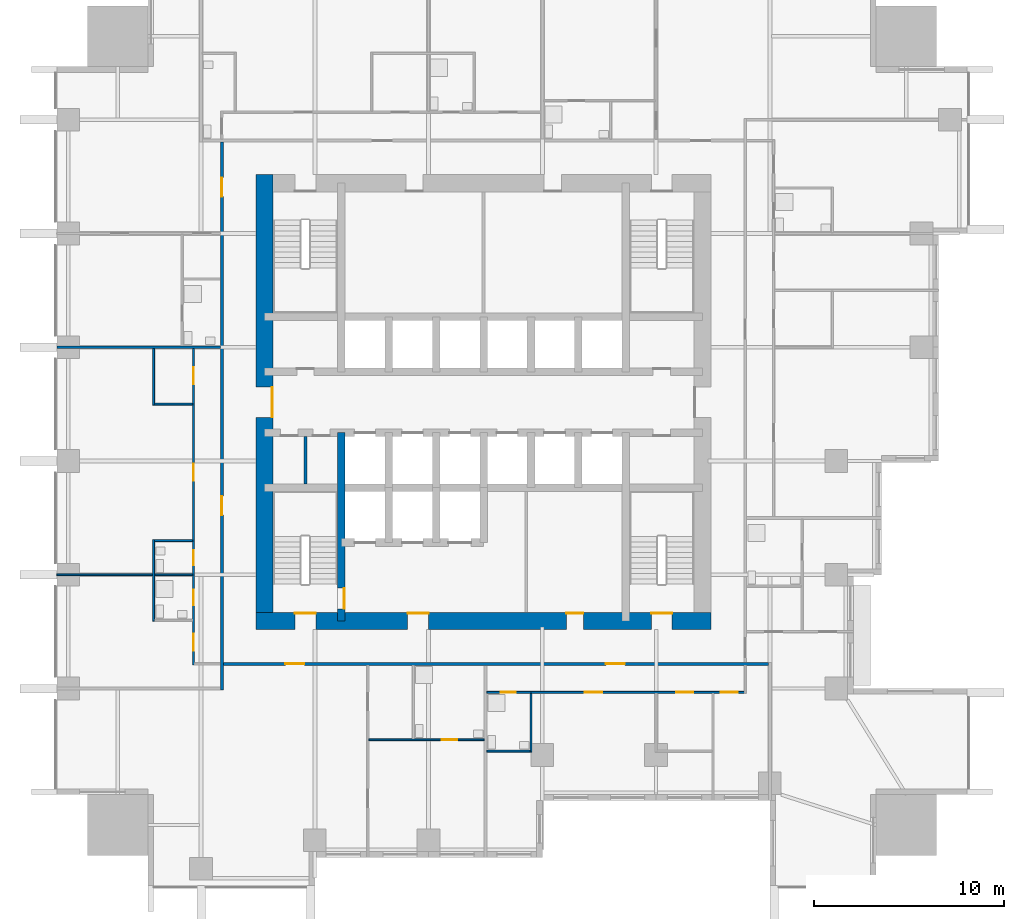
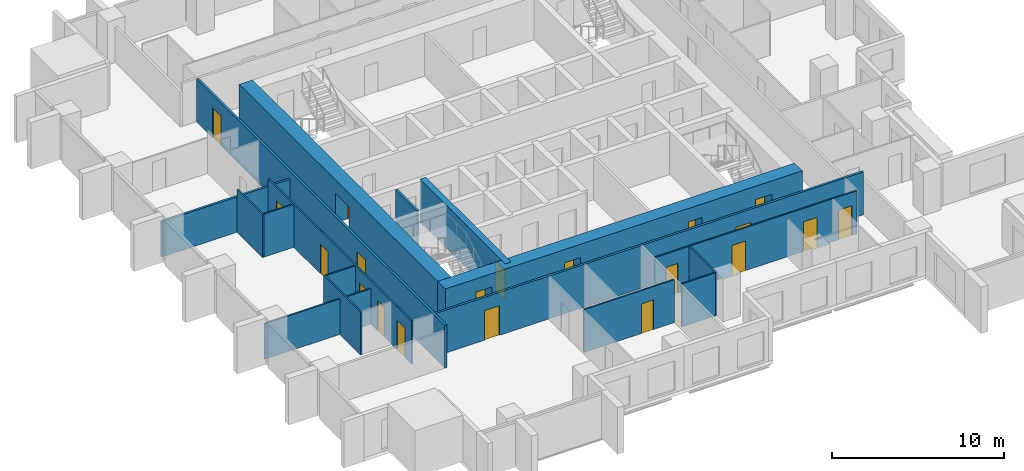
# One storey, part 4 of 10: 20 doors, 17 walls, 20 openings.
"""IFC4 building model written with IfcOpenShell, lengths in metres."""

from ifc_helpers import new_model, si_unit, direction, frame, frame_2d, origin, place, context, subcontext, project, spatial, rectangle, extrude, material, layer, layer_set, type_object, element, fill, save


model = new_model("IFC4")

# Units and contexts
model_context = context("Model", 3, precision=1e-05, world=origin(), true_north=direction((0.0, 1.0)))
body_context = subcontext(model_context, "Body", "Model", "MODEL_VIEW")
ifc_project = project(units=[si_unit("LENGTHUNIT", "METRE"), si_unit("AREAUNIT", "SQUARE_METRE"), si_unit("VOLUMEUNIT", "CUBIC_METRE"), si_unit("PLANEANGLEUNIT", "RADIAN"), si_unit("MASSUNIT", "GRAM", prefix="KILO")], contexts=[model_context])

# Site, building, storey
site_placement = place(None, origin())
site = spatial("IfcSite", under=ifc_project, at=site_placement, CompositionType="ELEMENT")
building_placement = place(site_placement, origin())
building = spatial("IfcBuilding", under=site, at=building_placement, Name="Amberfall Residences", CompositionType="ELEMENT")
storey_placement = place(building_placement, frame((0.0, 0.0, 36.699951171875)))
storey = spatial("IfcBuildingStorey", under=building, at=storey_placement, Name="L09", CompositionType="ELEMENT", Elevation=36.699951171875)

# Wall, opening, door
ifc_material_1 = material(Name="Concrete C80", Category="concrete")
ifc_layer_1 = layer(ifc_material_1, 0.39990234375)
ifc_layer_set_1 = layer_set([ifc_layer_1], Name="Core wall 400 C80")
wall_type_1 = type_object("IfcWallType", Name="Core wall 400 C80", PredefinedType="SHEAR", material=ifc_layer_set_1)
wall_1_placement = place(storey_placement, frame((67.0, 33.949951171875, 0.0), z_axis=(0.0, 0.0, 1.0), x_axis=(0.0, 1.0, 0.0)))
wall_1 = element("IfcWall", 1, at=wall_1_placement, inside=storey, type_object=wall_type_1, Name="Core wall RW2 L09 V45S", PredefinedType="SHEAR", context=body_context, shape_type="SweptSolid", body=[
    extrude(rectangle(XDim=9.949951171875, YDim=0.39990234375, at=frame_2d((4.97509765625, 0.0))), origin(), (0.0, 0.0, 1.0), 3.050048828125),
])
opening_1_placement = place(wall_1_placement, frame((0.64990234375, 0.0, 0.0)))
opening_1 = element("IfcOpeningElement", 2, at=opening_1_placement, cuts=wall_1, Name="Opening FL1", PredefinedType="OPENING", context=body_context, shape_type="SweptSolid", body=[
    extrude(rectangle(XDim=1.10009765625, YDim=2.10009765625, at=frame_2d((0.550048828125, 1.050048828125))), frame((0.0, 0.2099609375, 0.0), z_axis=(0.0, -1.0, 0.0), x_axis=(1.0, 0.0, 0.0)), (0.0, 0.0, 1.0), 0.419921875),
])
ifc_material_2 = material(Name="Steel fire door set", Category="steel")
door_type_1 = type_object("IfcDoorType", Name="Firefighting lobby door 1100 x 2100", OperationType="SINGLE_SWING_LEFT", PredefinedType="DOOR", material=ifc_material_2)
door_1_placement = place(opening_1_placement, origin())
door_1 = element("IfcDoor", 3, at=door_1_placement, inside=storey, type_object=door_type_1, Name="FL1 L09", OperationType="SINGLE_SWING_RIGHT", OverallHeight=2.10009765625, OverallWidth=1.10009765625, PredefinedType="DOOR", context=body_context, shape_type="SweptSolid", body=[
    extrude(rectangle(XDim=1.10009765625, YDim=2.10009765625, at=frame_2d((0.550048828125, 1.050048828125))), frame((0.0, -0.1376953125, 0.0), z_axis=(0.0, -1.0, 0.0), x_axis=(1.0, 0.0, 0.0)), (0.0, 0.0, 1.0), 0.050048828125),
])
fill(opening_1, door_1)

# Wall, openings, doors
ifc_layer_2 = layer(ifc_material_1, 0.89990234375)
ifc_layer_set_2 = layer_set([ifc_layer_2], Name="Core wall 900 C80")
wall_type_2 = type_object("IfcWallType", Name="Core wall 900 C80", PredefinedType="SHEAR", material=ifc_layer_set_2)
wall_2_placement = place(storey_placement, frame((62.5, 33.949951171875, 0.0), z_axis=(0.0, 0.0, 1.0), x_axis=(1.0, 0.0, 0.0)))
wall_2 = element("IfcWall", 4, at=wall_2_placement, inside=storey, type_object=wall_type_2, Name="Core wall RW1 L09 OS", PredefinedType="SHEAR", context=body_context, shape_type="SweptSolid", body=[
    extrude(rectangle(XDim=24.0, YDim=0.89990234375, at=frame_2d((12.0, 0.0))), origin(), (0.0, 0.0, 1.0), 3.050048828125),
])
opening_2_placement = place(wall_2_placement, frame((2.050048828125, 0.0, 0.0)))
opening_2 = element("IfcOpeningElement", 5, at=opening_2_placement, cuts=wall_2, Name="Opening SD1", PredefinedType="OPENING", context=body_context, shape_type="SweptSolid", body=[
    extrude(rectangle(XDim=1.10009765625, YDim=2.10009765625, at=frame_2d((0.550048828125, 1.050048828125))), frame((0.0, 0.4599609375, 0.0), z_axis=(0.0, -1.0, 0.0), x_axis=(1.0, 0.0, 0.0)), (0.0, 0.0, 1.0), 0.919921875),
])
opening_3_placement = place(wall_2_placement, frame((20.85009765625, 0.0, 0.0)))
opening_3 = element("IfcOpeningElement", 6, at=opening_3_placement, cuts=wall_2, Name="Opening SD1", PredefinedType="OPENING", context=body_context, shape_type="SweptSolid", body=[
    extrude(rectangle(XDim=1.10009765625, YDim=2.10009765625, at=frame_2d((0.550048828125, 1.050048828125))), frame((0.0, 0.4599609375, 0.0), z_axis=(0.0, -1.0, 0.0), x_axis=(1.0, 0.0, 0.0)), (0.0, 0.0, 1.0), 0.919921875),
])
opening_4_placement = place(wall_2_placement, frame((8.0, 0.0, 0.0)))
opening_4 = element("IfcOpeningElement", 7, at=opening_4_placement, cuts=wall_2, Name="Opening FL1", PredefinedType="OPENING", context=body_context, shape_type="SweptSolid", body=[
    extrude(rectangle(XDim=1.10009765625, YDim=2.10009765625, at=frame_2d((0.550048828125, 1.050048828125))), frame((0.0, 0.4599609375, 0.0), z_axis=(0.0, -1.0, 0.0), x_axis=(1.0, 0.0, 0.0)), (0.0, 0.0, 1.0), 0.919921875),
])
opening_5_placement = place(wall_2_placement, frame((16.362548828125, 0.0, 0.0)))
opening_5 = element("IfcOpeningElement", 8, at=opening_5_placement, cuts=wall_2, Name="Opening RD1", PredefinedType="OPENING", context=body_context, shape_type="SweptSolid", body=[
    extrude(rectangle(XDim=0.89990234375, YDim=2.10009765625, at=frame_2d((0.449951171875, 1.050048828125))), frame((0.0, 0.4599609375, 0.0), z_axis=(0.0, -1.0, 0.0), x_axis=(1.0, 0.0, 0.0)), (0.0, 0.0, 1.0), 0.919921875),
])
door_2_placement = place(opening_4_placement, origin())
door_2 = element("IfcDoor", 9, at=door_2_placement, inside=storey, type_object=door_type_1, Name="FL1 L09", OperationType="SINGLE_SWING_LEFT", OverallHeight=2.10009765625, OverallWidth=1.10009765625, PredefinedType="DOOR", context=body_context, shape_type="SweptSolid", body=[
    extrude(rectangle(XDim=1.10009765625, YDim=2.10009765625, at=frame_2d((0.550048828125, 1.050048828125))), frame((0.0, 0.4375, 0.0), z_axis=(0.0, -1.0, 0.0), x_axis=(1.0, 0.0, 0.0)), (0.0, 0.0, 1.0), 0.050048828125),
])
fill(opening_4, door_2)
door_type_2 = type_object("IfcDoorType", Name="Service room door 900 x 2100", OperationType="SINGLE_SWING_LEFT", PredefinedType="DOOR", material=ifc_material_2)
door_3_placement = place(opening_5_placement, origin())
door_3 = element("IfcDoor", 10, at=door_3_placement, inside=storey, type_object=door_type_2, Name="RD1 L09", OperationType="SINGLE_SWING_LEFT", OverallHeight=2.10009765625, OverallWidth=0.89990234375, PredefinedType="DOOR", context=body_context, shape_type="SweptSolid", body=[
    extrude(rectangle(XDim=0.89990234375, YDim=2.10009765625, at=frame_2d((0.449951171875, 1.050048828125))), frame((0.0, 0.4375, 0.0), z_axis=(0.0, -1.0, 0.0), x_axis=(1.0, 0.0, 0.0)), (0.0, 0.0, 1.0), 0.050048828125),
])
fill(opening_5, door_3)
door_type_3 = type_object("IfcDoorType", Name="Stair door 1100 x 2100", OperationType="SINGLE_SWING_LEFT", PredefinedType="DOOR", material=ifc_material_2)
door_4_placement = place(opening_2_placement, origin())
door_4 = element("IfcDoor", 11, at=door_4_placement, inside=storey, type_object=door_type_3, Name="SD1 L09", OperationType="SINGLE_SWING_LEFT", OverallHeight=2.10009765625, OverallWidth=1.10009765625, PredefinedType="DOOR", context=body_context, shape_type="SweptSolid", body=[
    extrude(rectangle(XDim=1.10009765625, YDim=2.10009765625, at=frame_2d((0.550048828125, 1.050048828125))), frame((0.0, 0.4375, 0.0), z_axis=(0.0, -1.0, 0.0), x_axis=(1.0, 0.0, 0.0)), (0.0, 0.0, 1.0), 0.050048828125),
])
fill(opening_2, door_4)
door_5_placement = place(opening_3_placement, origin())
door_5 = element("IfcDoor", 12, at=door_5_placement, inside=storey, type_object=door_type_3, Name="SD1 L09", OperationType="SINGLE_SWING_RIGHT", OverallHeight=2.10009765625, OverallWidth=1.10009765625, PredefinedType="DOOR", context=body_context, shape_type="SweptSolid", body=[
    extrude(rectangle(XDim=1.10009765625, YDim=2.10009765625, at=frame_2d((0.550048828125, 1.050048828125))), frame((0.0, 0.4375, 0.0), z_axis=(0.0, -1.0, 0.0), x_axis=(1.0, 0.0, 0.0)), (0.0, 0.0, 1.0), 0.050048828125),
])
fill(opening_3, door_5)

# Wall, opening, door
wall_3_placement = place(storey_placement, frame((62.949951171875, 33.5, 0.0), z_axis=(0.0, 0.0, 1.0), x_axis=(0.0, 1.0, 0.0)))
wall_3 = element("IfcWall", 13, at=wall_3_placement, inside=storey, type_object=wall_type_2, Name="Core wall RW1 L09 OW", PredefinedType="SHEAR", context=body_context, shape_type="SweptSolid", body=[
    extrude(rectangle(XDim=24.0, YDim=0.89990234375, at=frame_2d((12.0, 0.0))), origin(), (0.0, 0.0, 1.0), 3.050048828125),
])
opening_6_placement = place(wall_3_placement, frame((11.199951171875, 0.0, 0.0)))
opening_6 = element("IfcOpeningElement", 14, at=opening_6_placement, cuts=wall_3, Name="Opening LB1", PredefinedType="OPENING", context=body_context, shape_type="SweptSolid", body=[
    extrude(rectangle(XDim=1.60009765625, YDim=2.10009765625, at=frame_2d((0.800048828125, 1.050048828125))), frame((0.0, 0.4599609375, 0.0), z_axis=(0.0, -1.0, 0.0), x_axis=(1.0, 0.0, 0.0)), (0.0, 0.0, 1.0), 0.919921875),
])
door_type_4 = type_object("IfcDoorType", Name="Lift lobby double door 1600 x 2100", OperationType="DOUBLE_DOOR_SINGLE_SWING", PredefinedType="DOOR", material=ifc_material_2)
door_6_placement = place(opening_6_placement, origin())
door_6 = element("IfcDoor", 15, at=door_6_placement, inside=storey, type_object=door_type_4, Name="LB1 L09", OperationType="DOUBLE_DOOR_SINGLE_SWING", OverallHeight=2.10009765625, OverallWidth=1.60009765625, PredefinedType="DOOR", context=body_context, shape_type="SweptSolid", body=[
    extrude(rectangle(XDim=1.60009765625, YDim=2.10009765625, at=frame_2d((0.800048828125, 1.050048828125))), frame((0.0, -0.3876953125, 0.0), z_axis=(0.0, -1.0, 0.0), x_axis=(1.0, 0.0, 0.0)), (0.0, 0.0, 1.0), 0.050048828125),
])
fill(opening_6, door_6)

# Walls
ifc_material_3 = material(Name="Gypsum board on metal stud")
ifc_layer_3 = layer(ifc_material_3, 0.10009765625)
ifc_layer_set_3 = layer_set([ifc_layer_3], Name="Flat partition 100")
wall_type_3 = type_object("IfcWallType", Name="Flat partition 100", PredefinedType="PARTITIONING", material=ifc_layer_set_3)
wall_4_placement = place(storey_placement, frame((57.10009765625, 33.949951171875, 0.0), z_axis=(0.0, 0.0, 1.0), x_axis=(0.0, 1.0, 0.0)))
element("IfcWall", 16, at=wall_4_placement, inside=storey, type_object=wall_type_3, Name="Partition 001", PredefinedType="PARTITIONING", context=body_context, shape_type="SweptSolid", body=[
    extrude(rectangle(XDim=4.300048828125, YDim=0.10009765625, at=frame_2d((2.14990234375, 0.0))), origin(), (0.0, 0.0, 1.0), 3.050048828125),
])
wall_5_placement = place(storey_placement, frame((57.10009765625, 45.35009765625, 0.0), z_axis=(0.0, 0.0, 1.0), x_axis=(0.0, 1.0, 0.0)))
element("IfcWall", 17, at=wall_5_placement, inside=storey, type_object=wall_type_3, Name="Partition 002", PredefinedType="PARTITIONING", context=body_context, shape_type="SweptSolid", body=[
    extrude(rectangle(XDim=2.974853515625, YDim=0.10009765625, at=frame_2d((1.4873046875, 0.0))), origin(), (0.0, 0.0, 1.0), 3.050048828125),
])

# Wall, openings, doors
wall_6_placement = place(storey_placement, frame((59.199951171875, 31.64990234375, 0.0), z_axis=(0.0, 0.0, 1.0), x_axis=(0.0, 1.0, 0.0)))
wall_6 = element("IfcWall", 18, at=wall_6_placement, inside=storey, type_object=wall_type_3, Name="Partition 004", PredefinedType="PARTITIONING", context=body_context, shape_type="SweptSolid", body=[
    extrude(rectangle(XDim=16.675048828125, YDim=0.10009765625, at=frame_2d((8.33740234375, 0.0))), origin(), (0.0, 0.0, 1.0), 3.050048828125),
])
opening_7_placement = place(wall_6_placement, frame((9.699951171875, 0.0, 0.0)))
opening_7 = element("IfcOpeningElement", 19, at=opening_7_placement, cuts=wall_6, Name="Opening D41", PredefinedType="OPENING", context=body_context, shape_type="SweptSolid", body=[
    extrude(rectangle(XDim=0.89990234375, YDim=2.10009765625, at=frame_2d((0.449951171875, 1.050048828125))), frame((0.0, 0.06005859375, 0.0), z_axis=(0.0, -1.0, 0.0), x_axis=(1.0, 0.0, 0.0)), (0.0, 0.0, 1.0), 0.1201171875),
])
opening_8_placement = place(wall_6_placement, frame((14.800048828125, 0.0, 0.0)))
opening_8 = element("IfcOpeningElement", 20, at=opening_8_placement, cuts=wall_6, Name="Opening D41", PredefinedType="OPENING", context=body_context, shape_type="SweptSolid", body=[
    extrude(rectangle(XDim=0.89990234375, YDim=2.10009765625, at=frame_2d((0.449951171875, 1.050048828125))), frame((0.0, 0.06005859375, 0.0), z_axis=(0.0, -1.0, 0.0), x_axis=(1.0, 0.0, 0.0)), (0.0, 0.0, 1.0), 0.1201171875),
])
opening_9_placement = place(wall_6_placement, frame((5.25, 0.0, 0.0)))
opening_9 = element("IfcOpeningElement", 21, at=opening_9_placement, cuts=wall_6, Name="Opening D42", PredefinedType="OPENING", context=body_context, shape_type="SweptSolid", body=[
    extrude(rectangle(XDim=0.800048828125, YDim=2.10009765625, at=frame_2d((0.39990234375, 1.050048828125))), frame((0.0, 0.06005859375, 0.0), z_axis=(0.0, -1.0, 0.0), x_axis=(1.0, 0.0, 0.0)), (0.0, 0.0, 1.0), 0.1201171875),
])
opening_10_placement = place(wall_6_placement, frame((0.75, 0.0, 0.0)))
opening_10 = element("IfcOpeningElement", 22, at=opening_10_placement, cuts=wall_6, Name="Opening D41", PredefinedType="OPENING", context=body_context, shape_type="SweptSolid", body=[
    extrude(rectangle(XDim=0.89990234375, YDim=2.10009765625, at=frame_2d((0.449951171875, 1.050048828125))), frame((0.0, 0.06005859375, 0.0), z_axis=(0.0, -1.0, 0.0), x_axis=(1.0, 0.0, 0.0)), (0.0, 0.0, 1.0), 0.1201171875),
])
opening_11_placement = place(wall_6_placement, frame((3.14990234375, 0.0, 0.0)))
opening_11 = element("IfcOpeningElement", 23, at=opening_11_placement, cuts=wall_6, Name="Opening D42", PredefinedType="OPENING", context=body_context, shape_type="SweptSolid", body=[
    extrude(rectangle(XDim=0.800048828125, YDim=2.10009765625, at=frame_2d((0.39990234375, 1.050048828125))), frame((0.0, 0.06005859375, 0.0), z_axis=(0.0, -1.0, 0.0), x_axis=(1.0, 0.0, 0.0)), (0.0, 0.0, 1.0), 0.1201171875),
])
ifc_material_4 = material(Name="Timber", Category="wood")
door_type_5 = type_object("IfcDoorType", Name="Bathroom door 800 x 2100", OperationType="SINGLE_SWING_LEFT", PredefinedType="DOOR", material=ifc_material_4)
door_7_placement = place(opening_9_placement, origin())
door_7 = element("IfcDoor", 24, at=door_7_placement, inside=storey, type_object=door_type_5, Name="Door 0907 wc1", OperationType="SINGLE_SWING_LEFT", OverallHeight=2.10009765625, OverallWidth=0.800048828125, PredefinedType="DOOR", context=body_context, shape_type="SweptSolid", body=[
    extrude(rectangle(XDim=0.800048828125, YDim=2.10009765625, at=frame_2d((0.39990234375, 1.050048828125))), frame((0.0, 0.02490234375, 0.0), z_axis=(0.0, -1.0, 0.0), x_axis=(1.0, 0.0, 0.0)), (0.0, 0.0, 1.0), 0.050048828125),
])
fill(opening_9, door_7)
door_8_placement = place(opening_11_placement, origin())
door_8 = element("IfcDoor", 25, at=door_8_placement, inside=storey, type_object=door_type_5, Name="Door 0907 bath1", OperationType="SINGLE_SWING_LEFT", OverallHeight=2.10009765625, OverallWidth=0.800048828125, PredefinedType="DOOR", context=body_context, shape_type="SweptSolid", body=[
    extrude(rectangle(XDim=0.800048828125, YDim=2.10009765625, at=frame_2d((0.39990234375, 1.050048828125))), frame((0.0, 0.02490234375, 0.0), z_axis=(0.0, -1.0, 0.0), x_axis=(1.0, 0.0, 0.0)), (0.0, 0.0, 1.0), 0.050048828125),
])
fill(opening_11, door_8)
door_type_6 = type_object("IfcDoorType", Name="Internal door 900 x 2100", OperationType="SINGLE_SWING_LEFT", PredefinedType="DOOR", material=ifc_material_4)
door_9_placement = place(opening_7_placement, origin())
door_9 = element("IfcDoor", 26, at=door_9_placement, inside=storey, type_object=door_type_6, Name="Door 0907 living", OperationType="SINGLE_SWING_LEFT", OverallHeight=2.10009765625, OverallWidth=0.89990234375, PredefinedType="DOOR", context=body_context, shape_type="SweptSolid", body=[
    extrude(rectangle(XDim=0.89990234375, YDim=2.10009765625, at=frame_2d((0.449951171875, 1.050048828125))), frame((0.0, 0.02490234375, 0.0), z_axis=(0.0, -1.0, 0.0), x_axis=(1.0, 0.0, 0.0)), (0.0, 0.0, 1.0), 0.050048828125),
])
fill(opening_7, door_9)
door_10_placement = place(opening_8_placement, origin())
door_10 = element("IfcDoor", 27, at=door_10_placement, inside=storey, type_object=door_type_6, Name="Door 0907 kitchen", OperationType="SINGLE_SWING_LEFT", OverallHeight=2.10009765625, OverallWidth=0.89990234375, PredefinedType="DOOR", context=body_context, shape_type="SweptSolid", body=[
    extrude(rectangle(XDim=0.89990234375, YDim=2.10009765625, at=frame_2d((0.449951171875, 1.050048828125))), frame((0.0, 0.02490234375, 0.0), z_axis=(0.0, -1.0, 0.0), x_axis=(1.0, 0.0, 0.0)), (0.0, 0.0, 1.0), 0.050048828125),
])
fill(opening_8, door_10)
door_11_placement = place(opening_10_placement, origin())
door_11 = element("IfcDoor", 28, at=door_11_placement, inside=storey, type_object=door_type_6, Name="Door 0907 bedroom1", OperationType="SINGLE_SWING_LEFT", OverallHeight=2.10009765625, OverallWidth=0.89990234375, PredefinedType="DOOR", context=body_context, shape_type="SweptSolid", body=[
    extrude(rectangle(XDim=0.89990234375, YDim=2.10009765625, at=frame_2d((0.449951171875, 1.050048828125))), frame((0.0, 0.02490234375, 0.0), z_axis=(0.0, -1.0, 0.0), x_axis=(1.0, 0.0, 0.0)), (0.0, 0.0, 1.0), 0.050048828125),
])
fill(opening_10, door_11)

# Walls
wall_7_placement = place(storey_placement, frame((77.0, 27.050048828125, 0.0), z_axis=(0.0, 0.0, 1.0), x_axis=(0.0, 1.0, 0.0)))
element("IfcWall", 29, at=wall_7_placement, inside=storey, type_object=wall_type_3, Name="Partition 012", PredefinedType="PARTITIONING", context=body_context, shape_type="SweptSolid", body=[
    extrude(rectangle(XDim=3.099853515625, YDim=0.10009765625, at=frame_2d((1.5498046875, 0.0))), origin(), (0.0, 0.0, 1.0), 3.050048828125),
])
for number, where, z_axis, x_axis, name in (
    (30, (57.14990234375, 45.39990234375, 0.0), (0.0, 0.0, 1.0), (1.0, 0.0, 0.0), "Partition 033"),
    (31, (57.14990234375, 38.199951171875, 0.0), (0.0, 0.0, 1.0), (1.0, 0.0, 0.0), "Partition 034"),
):
    element("IfcWall", number, at=place(storey_placement, frame(where, z_axis=z_axis, x_axis=x_axis)), inside=storey, type_object=wall_type_3, Name=name, PredefinedType="PARTITIONING", context=body_context, shape_type="SweptSolid", body=[
        extrude(rectangle(XDim=2.0, YDim=0.10009765625, at=frame_2d((1.0, 0.0))), origin(), (0.0, 0.0, 1.0), 3.050048828125),
    ])
wall_8_placement = place(storey_placement, frame((52.0, 36.39990234375, 0.0), z_axis=(0.0, 0.0, 1.0), x_axis=(1.0, 0.0, 0.0)))
element("IfcWall", 32, at=wall_8_placement, inside=storey, type_object=wall_type_3, Name="Partition 035", PredefinedType="PARTITIONING", context=body_context, shape_type="SweptSolid", body=[
    extrude(rectangle(XDim=7.14990234375, YDim=0.10009765625, at=frame_2d((3.574951171875, 0.0))), origin(), (0.0, 0.0, 1.0), 2.51611328125),
])

# Wall, openings, doors
wall_9_placement = place(storey_placement, frame((88.25, 30.199951171875, 0.0), z_axis=(0.0, 0.0, 1.0), x_axis=(-1.0, 0.0, 0.0)))
wall_9 = element("IfcWall", 33, at=wall_9_placement, inside=storey, type_object=wall_type_3, Name="Partition 040", PredefinedType="PARTITIONING", context=body_context, shape_type="SweptSolid", body=[
    extrude(rectangle(XDim=13.574951171875, YDim=0.10009765625, at=frame_2d((6.78759765625, 0.0))), origin(), (0.0, 0.0, 1.0), 3.050048828125),
])
opening_12_placement = place(wall_9_placement, frame((7.5, 0.0, 0.0)))
opening_12 = element("IfcOpeningElement", 34, at=opening_12_placement, cuts=wall_9, Name="Opening D41", PredefinedType="OPENING", context=body_context, shape_type="SweptSolid", body=[
    extrude(rectangle(XDim=0.89990234375, YDim=2.10009765625, at=frame_2d((0.449951171875, 1.050048828125))), frame((0.0, 0.06005859375, 0.0), z_axis=(0.0, -1.0, 0.0), x_axis=(1.0, 0.0, 0.0)), (0.0, 0.0, 1.0), 0.1201171875),
])
opening_13_placement = place(wall_9_placement, frame((2.699951171875, 0.0, 0.0)))
opening_13 = element("IfcOpeningElement", 35, at=opening_13_placement, cuts=wall_9, Name="Opening D41", PredefinedType="OPENING", context=body_context, shape_type="SweptSolid", body=[
    extrude(rectangle(XDim=0.89990234375, YDim=2.10009765625, at=frame_2d((0.449951171875, 1.050048828125))), frame((0.0, 0.06005859375, 0.0), z_axis=(0.0, -1.0, 0.0), x_axis=(1.0, 0.0, 0.0)), (0.0, 0.0, 1.0), 0.1201171875),
])
opening_14_placement = place(wall_9_placement, frame((0.35009765625, 0.0, 0.0)))
opening_14 = element("IfcOpeningElement", 36, at=opening_14_placement, cuts=wall_9, Name="Opening D41", PredefinedType="OPENING", context=body_context, shape_type="SweptSolid", body=[
    extrude(rectangle(XDim=0.89990234375, YDim=2.10009765625, at=frame_2d((0.449951171875, 1.050048828125))), frame((0.0, 0.06005859375, 0.0), z_axis=(0.0, -1.0, 0.0), x_axis=(1.0, 0.0, 0.0)), (0.0, 0.0, 1.0), 0.1201171875),
])
opening_15_placement = place(wall_9_placement, frame((12.050048828125, 0.0, 0.0)))
opening_15 = element("IfcOpeningElement", 37, at=opening_15_placement, cuts=wall_9, Name="Opening D42", PredefinedType="OPENING", context=body_context, shape_type="SweptSolid", body=[
    extrude(rectangle(XDim=0.800048828125, YDim=2.10009765625, at=frame_2d((0.39990234375, 1.050048828125))), frame((0.0, 0.06005859375, 0.0), z_axis=(0.0, -1.0, 0.0), x_axis=(1.0, 0.0, 0.0)), (0.0, 0.0, 1.0), 0.1201171875),
])
door_12_placement = place(opening_15_placement, origin())
door_12 = element("IfcDoor", 38, at=door_12_placement, inside=storey, type_object=door_type_5, Name="Door 0902 bath1", OperationType="SINGLE_SWING_LEFT", OverallHeight=2.10009765625, OverallWidth=0.800048828125, PredefinedType="DOOR", context=body_context, shape_type="SweptSolid", body=[
    extrude(rectangle(XDim=0.800048828125, YDim=2.10009765625, at=frame_2d((0.39990234375, 1.050048828125))), frame((0.0, 0.02490234375, 0.0), z_axis=(0.0, -1.0, 0.0), x_axis=(1.0, 0.0, 0.0)), (0.0, 0.0, 1.0), 0.050048828125),
])
fill(opening_15, door_12)
door_13_placement = place(opening_12_placement, origin())
door_13 = element("IfcDoor", 39, at=door_13_placement, inside=storey, type_object=door_type_6, Name="Door 0902 living", OperationType="SINGLE_SWING_LEFT", OverallHeight=2.10009765625, OverallWidth=0.89990234375, PredefinedType="DOOR", context=body_context, shape_type="SweptSolid", body=[
    extrude(rectangle(XDim=0.89990234375, YDim=2.10009765625, at=frame_2d((0.449951171875, 1.050048828125))), frame((0.0, 0.02490234375, 0.0), z_axis=(0.0, -1.0, 0.0), x_axis=(1.0, 0.0, 0.0)), (0.0, 0.0, 1.0), 0.050048828125),
])
fill(opening_12, door_13)
door_14_placement = place(opening_13_placement, origin())
door_14 = element("IfcDoor", 40, at=door_14_placement, inside=storey, type_object=door_type_6, Name="Door 0902 kitchen", OperationType="SINGLE_SWING_LEFT", OverallHeight=2.10009765625, OverallWidth=0.89990234375, PredefinedType="DOOR", context=body_context, shape_type="SweptSolid", body=[
    extrude(rectangle(XDim=0.89990234375, YDim=2.10009765625, at=frame_2d((0.449951171875, 1.050048828125))), frame((0.0, 0.02490234375, 0.0), z_axis=(0.0, -1.0, 0.0), x_axis=(1.0, 0.0, 0.0)), (0.0, 0.0, 1.0), 0.050048828125),
])
fill(opening_13, door_14)
door_15_placement = place(opening_14_placement, origin())
door_15 = element("IfcDoor", 41, at=door_15_placement, inside=storey, type_object=door_type_6, Name="Door 0902 bedroom1", OperationType="SINGLE_SWING_LEFT", OverallHeight=2.10009765625, OverallWidth=0.89990234375, PredefinedType="DOOR", context=body_context, shape_type="SweptSolid", body=[
    extrude(rectangle(XDim=0.89990234375, YDim=2.10009765625, at=frame_2d((0.449951171875, 1.050048828125))), frame((0.0, 0.02490234375, 0.0), z_axis=(0.0, -1.0, 0.0), x_axis=(1.0, 0.0, 0.0)), (0.0, 0.0, 1.0), 0.050048828125),
])
fill(opening_14, door_15)

# Wall, opening, door
wall_10_placement = place(storey_placement, frame((68.449951171875, 27.699951171875, 0.0), z_axis=(0.0, 0.0, 1.0), x_axis=(1.0, 0.0, 0.0)))
wall_10 = element("IfcWall", 42, at=wall_10_placement, inside=storey, type_object=wall_type_3, Name="Partition 041", PredefinedType="PARTITIONING", context=body_context, shape_type="SweptSolid", body=[
    extrude(rectangle(XDim=6.074951171875, YDim=0.10009765625, at=frame_2d((3.03759765625, 0.0))), origin(), (0.0, 0.0, 1.0), 3.050048828125),
])
opening_16_placement = place(wall_10_placement, frame((3.85009765625, 0.0, 0.0)))
opening_16 = element("IfcOpeningElement", 43, at=opening_16_placement, cuts=wall_10, Name="Opening D42", PredefinedType="OPENING", context=body_context, shape_type="SweptSolid", body=[
    extrude(rectangle(XDim=0.800048828125, YDim=2.10009765625, at=frame_2d((0.39990234375, 1.050048828125))), frame((0.0, 0.06005859375, 0.0), z_axis=(0.0, -1.0, 0.0), x_axis=(1.0, 0.0, 0.0)), (0.0, 0.0, 1.0), 0.1201171875),
])
door_16_placement = place(opening_16_placement, origin())
door_16 = element("IfcDoor", 44, at=door_16_placement, inside=storey, type_object=door_type_5, Name="Door 0901 bath1", OperationType="SINGLE_SWING_LEFT", OverallHeight=2.10009765625, OverallWidth=0.800048828125, PredefinedType="DOOR", context=body_context, shape_type="SweptSolid", body=[
    extrude(rectangle(XDim=0.800048828125, YDim=2.10009765625, at=frame_2d((0.39990234375, 1.050048828125))), frame((0.0, 0.02490234375, 0.0), z_axis=(0.0, -1.0, 0.0), x_axis=(1.0, 0.0, 0.0)), (0.0, 0.0, 1.0), 0.050048828125),
])
fill(opening_16, door_16)

# Wall
wall_11_placement = place(storey_placement, frame((74.675048828125, 27.10009765625, 0.0), z_axis=(0.0, 0.0, 1.0), x_axis=(1.0, 0.0, 0.0)))
element("IfcWall", 45, at=wall_11_placement, inside=storey, type_object=wall_type_3, Name="Partition 042", PredefinedType="PARTITIONING", context=body_context, shape_type="SweptSolid", body=[
    extrude(rectangle(XDim=2.27490234375, YDim=0.10009765625, at=frame_2d((1.137451171875, 0.0))), origin(), (0.0, 0.0, 1.0), 3.050048828125),
])

# Wall, openings, doors
ifc_material_5 = material(Name="Blockwork, plastered", Category="masonry")
ifc_layer_4 = layer(ifc_material_5, 0.14990234375)
ifc_layer_set_4 = layer_set([ifc_layer_4], Name="Flat separating wall 150")
wall_type_4 = type_object("IfcWallType", Name="Flat separating wall 150", PredefinedType="PARTITIONING", material=ifc_layer_set_4)
wall_12_placement = place(storey_placement, frame((60.699951171875, 30.324951171875, 0.0), z_axis=(0.0, 0.0, 1.0), x_axis=(0.0, 1.0, 0.0)))
wall_12 = element("IfcWall", 46, at=wall_12_placement, inside=storey, type_object=wall_type_4, Name="Separating wall 045", PredefinedType="PARTITIONING", context=body_context, shape_type="SweptSolid", body=[
    extrude(rectangle(XDim=28.900146484375, YDim=0.14990234375, at=frame_2d((14.4501953125, 0.0))), origin(), (0.0, 0.0, 1.0), 3.050048828125),
])
opening_17_placement = place(wall_12_placement, frame((9.22509765625, 0.0, 0.0)))
opening_17 = element("IfcOpeningElement", 47, at=opening_17_placement, cuts=wall_12, Name="Opening D40", PredefinedType="OPENING", context=body_context, shape_type="SweptSolid", body=[
    extrude(rectangle(XDim=1.0, YDim=2.10009765625, at=frame_2d((0.5, 1.050048828125))), frame((0.0, 0.0849609375, 0.0), z_axis=(0.0, -1.0, 0.0), x_axis=(1.0, 0.0, 0.0)), (0.0, 0.0, 1.0), 0.169921875),
])
opening_18_placement = place(wall_12_placement, frame((26.02490234375, 0.0, 0.0)))
opening_18 = element("IfcOpeningElement", 48, at=opening_18_placement, cuts=wall_12, Name="Opening D40", PredefinedType="OPENING", context=body_context, shape_type="SweptSolid", body=[
    extrude(rectangle(XDim=1.0, YDim=2.10009765625, at=frame_2d((0.5, 1.050048828125))), frame((0.0, 0.0849609375, 0.0), z_axis=(0.0, -1.0, 0.0), x_axis=(1.0, 0.0, 0.0)), (0.0, 0.0, 1.0), 0.169921875),
])
ifc_material_6 = material(Name="Timber, fire-rated", Category="wood")
door_type_7 = type_object("IfcDoorType", Name="Flat entrance door FD60 1000 x 2100", OperationType="SINGLE_SWING_LEFT", PredefinedType="DOOR", material=ifc_material_6)
door_17_placement = place(opening_17_placement, origin())
door_17 = element("IfcDoor", 49, at=door_17_placement, inside=storey, type_object=door_type_7, Name="Door 0907 entrance", OperationType="SINGLE_SWING_LEFT", OverallHeight=2.10009765625, OverallWidth=1.0, PredefinedType="DOOR", context=body_context, shape_type="SweptSolid", body=[
    extrude(rectangle(XDim=1.0, YDim=2.10009765625, at=frame_2d((0.5, 1.050048828125))), frame((0.0, 0.02490234375, 0.0), z_axis=(0.0, -1.0, 0.0), x_axis=(1.0, 0.0, 0.0)), (0.0, 0.0, 1.0), 0.050048828125),
])
fill(opening_17, door_17)
door_18_placement = place(opening_18_placement, origin())
door_18 = element("IfcDoor", 50, at=door_18_placement, inside=storey, type_object=door_type_7, Name="Door 0908 entrance", OperationType="SINGLE_SWING_LEFT", OverallHeight=2.10009765625, OverallWidth=1.0, PredefinedType="DOOR", context=body_context, shape_type="SweptSolid", body=[
    extrude(rectangle(XDim=1.0, YDim=2.10009765625, at=frame_2d((0.5, 1.050048828125))), frame((0.0, 0.02490234375, 0.0), z_axis=(0.0, -1.0, 0.0), x_axis=(1.0, 0.0, 0.0)), (0.0, 0.0, 1.0), 0.050048828125),
])
fill(opening_18, door_18)

# Wall
wall_13_placement = place(storey_placement, frame((52.0, 48.39990234375, 0.0), z_axis=(0.0, 0.0, 1.0), x_axis=(1.0, 0.0, 0.0)))
element("IfcWall", 51, at=wall_13_placement, inside=storey, type_object=wall_type_4, Name="Separating wall 052", PredefinedType="PARTITIONING", context=body_context, shape_type="SweptSolid", body=[
    extrude(rectangle(XDim=8.625, YDim=0.14990234375, at=frame_2d((4.3125, 0.0))), origin(), (0.0, 0.0, 1.0), 2.51611328125),
])

# Wall, openings, doors
wall_14_placement = place(storey_placement, frame((89.52490234375, 31.699951171875, 0.0), z_axis=(0.0, 0.0, 1.0), x_axis=(-1.0, 0.0, 0.0)))
wall_14 = element("IfcWall", 52, at=wall_14_placement, inside=storey, type_object=wall_type_4, Name="Separating wall 054", PredefinedType="PARTITIONING", context=body_context, shape_type="SweptSolid", body=[
    extrude(rectangle(XDim=28.75, YDim=0.14990234375, at=frame_2d((14.375, 0.0))), origin(), (0.0, 0.0, 1.0), 3.050048828125),
])
opening_19_placement = place(wall_14_placement, frame((24.47509765625, 0.0, 0.0)))
opening_19 = element("IfcOpeningElement", 53, at=opening_19_placement, cuts=wall_14, Name="Opening D40", PredefinedType="OPENING", context=body_context, shape_type="SweptSolid", body=[
    extrude(rectangle(XDim=1.0, YDim=2.10009765625, at=frame_2d((0.5, 1.050048828125))), frame((0.0, 0.0849609375, 0.0), z_axis=(0.0, -1.0, 0.0), x_axis=(1.0, 0.0, 0.0)), (0.0, 0.0, 1.0), 0.169921875),
])
opening_20_placement = place(wall_14_placement, frame((7.574951171875, 0.0, 0.0)))
opening_20 = element("IfcOpeningElement", 54, at=opening_20_placement, cuts=wall_14, Name="Opening D40", PredefinedType="OPENING", context=body_context, shape_type="SweptSolid", body=[
    extrude(rectangle(XDim=1.0, YDim=2.10009765625, at=frame_2d((0.5, 1.050048828125))), frame((0.0, 0.0849609375, 0.0), z_axis=(0.0, -1.0, 0.0), x_axis=(1.0, 0.0, 0.0)), (0.0, 0.0, 1.0), 0.169921875),
])
door_19_placement = place(opening_19_placement, origin())
door_19 = element("IfcDoor", 55, at=door_19_placement, inside=storey, type_object=door_type_7, Name="Door 0901 entrance", OperationType="SINGLE_SWING_LEFT", OverallHeight=2.10009765625, OverallWidth=1.0, PredefinedType="DOOR", context=body_context, shape_type="SweptSolid", body=[
    extrude(rectangle(XDim=1.0, YDim=2.10009765625, at=frame_2d((0.5, 1.050048828125))), frame((0.0, 0.02490234375, 0.0), z_axis=(0.0, -1.0, 0.0), x_axis=(1.0, 0.0, 0.0)), (0.0, 0.0, 1.0), 0.050048828125),
])
fill(opening_19, door_19)
door_20_placement = place(opening_20_placement, origin())
door_20 = element("IfcDoor", 56, at=door_20_placement, inside=storey, type_object=door_type_7, Name="Door 0902 entrance", OperationType="SINGLE_SWING_LEFT", OverallHeight=2.10009765625, OverallWidth=1.0, PredefinedType="DOOR", context=body_context, shape_type="SweptSolid", body=[
    extrude(rectangle(XDim=1.0, YDim=2.10009765625, at=frame_2d((0.5, 1.050048828125))), frame((0.0, 0.02490234375, 0.0), z_axis=(0.0, -1.0, 0.0), x_axis=(1.0, 0.0, 0.0)), (0.0, 0.0, 1.0), 0.050048828125),
])
fill(opening_20, door_20)

# Wall
ifc_material_7 = material(Name="Concrete blockwork", Category="masonry")
ifc_layer_5 = layer(ifc_material_7, 0.14990234375)
ifc_layer_set_5 = layer_set([ifc_layer_5], Name="Riser wall 150")
wall_type_5 = type_object("IfcWallType", Name="Riser wall 150", PredefinedType="PLUMBINGWALL", material=ifc_layer_set_5)
wall_15_placement = place(storey_placement, frame((65.10009765625, 41.199951171875, 0.0), z_axis=(0.0, 0.0, 1.0), x_axis=(0.0, 1.0, 0.0)))
element("IfcWall", 57, at=wall_15_placement, inside=storey, type_object=wall_type_5, Name="L09 core wall ASW0", PredefinedType="PLUMBINGWALL", context=body_context, shape_type="SweptSolid", body=[
    extrude(rectangle(XDim=2.5, YDim=0.14990234375, at=frame_2d((1.25, 0.0))), origin(), (0.0, 0.0, 1.0), 3.050048828125),
])

save(model, "model.ifc")
